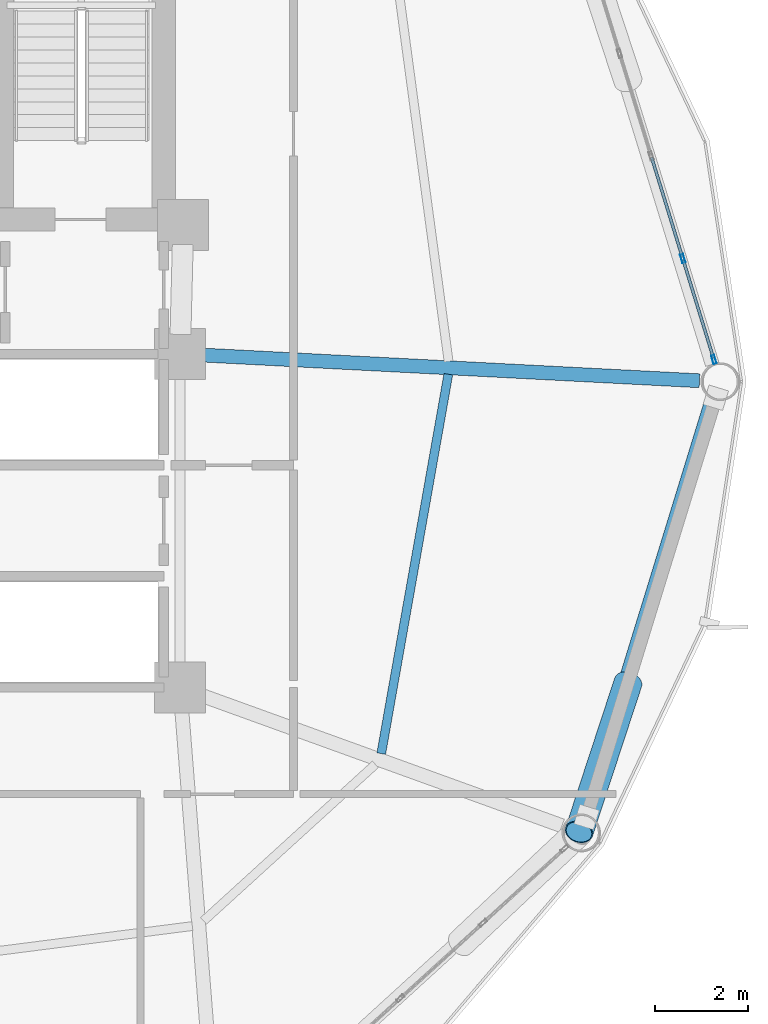
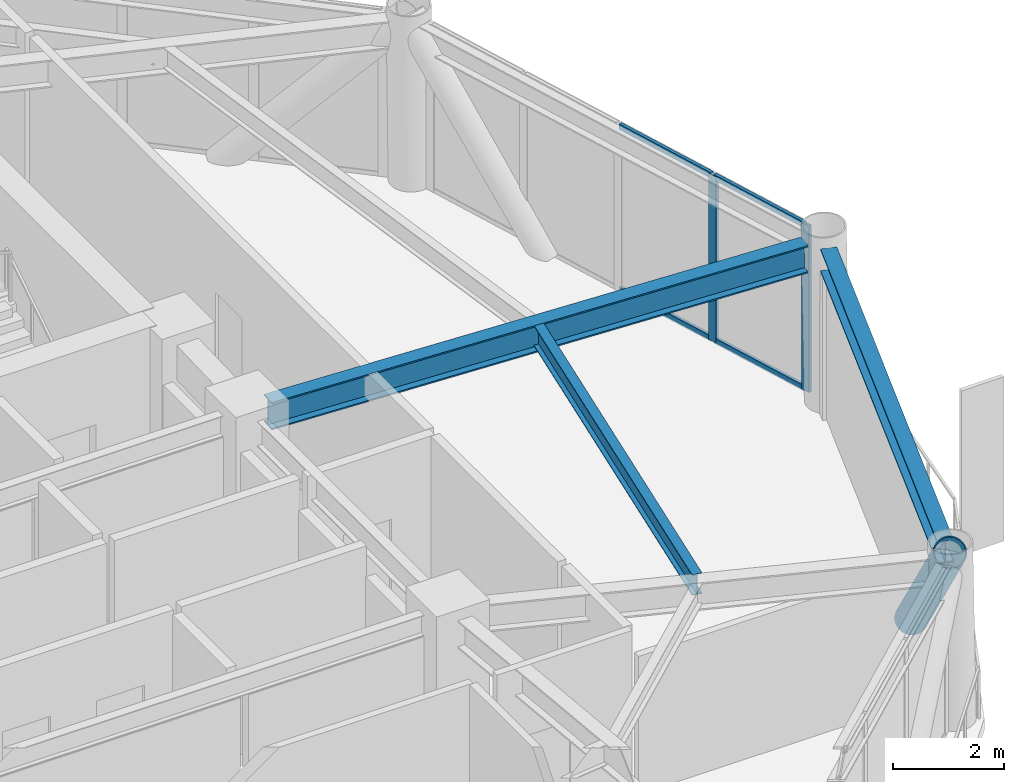
# One storey, part 12 of 23: 7 members, 3 beams, 1 element without a shape of its own.
"""IFC4 building model written with IfcOpenShell, lengths in metres."""

import ifcopenshell
import ifcopenshell.guid

model = None  # the IFC model being written
_history = None  # IfcOwnerHistory: only IFC2X3 demands one
_inside = {}  # id of a spatial element -> (the spatial element, [elements in it])
_under = {}  # id of a project, library or spatial element -> (it, [spatial elements below it])
_declared = {}  # id of a project -> (the project, [libraries it declares])
_typed = {}  # id of a type object -> (the type object, [elements of that type])
_made_of = {}  # id of a material, layer set ... -> (it, [elements and type objects made of it])


def new_model(schema):
    """Start an empty IFC model of exactly this schema.

    Asked for "IFC4X3", IfcOpenShell would pick the latest addendum, in which some entities
    have other attributes; the version numbers below select the first issue.
    IFC2X3 requires an IfcOwnerHistory on every rooted entity: one is made here for all.
    """
    global model, _history
    if schema == "IFC4X3":
        model = ifcopenshell.file(schema_version=(4, 3, 0, 0))
    else:
        model = ifcopenshell.file(schema=schema)
    _inside.clear()
    _under.clear()
    _declared.clear()
    _typed.clear()
    _made_of.clear()
    _history = None
    if model.schema == "IFC2X3":
        org = make("IfcOrganization", Name="unknown")
        user = make(
            "IfcPersonAndOrganization",
            ThePerson=make("IfcPerson", FamilyName="unknown"),
            TheOrganization=org,
        )
        app = make(
            "IfcApplication",
            ApplicationDeveloper=org,
            Version="unknown",
            ApplicationFullName="unknown",
            ApplicationIdentifier="unknown",
        )
        _history = make(
            "IfcOwnerHistory",
            OwningUser=user,
            OwningApplication=app,
            ChangeAction="ADDED",
            CreationDate=0,
        )
    return model


def make(cls, **values):
    """One entity of the class cls with the attributes given. An attribute that is None is left unset."""
    return model.create_entity(
        cls, **{name: value for name, value in values.items() if value is not None}
    )


def rooted(cls, **values):
    """An entity with a GlobalId (a new one), such as an element, a storey or a relation."""
    return make(cls, GlobalId=ifcopenshell.guid.new(), OwnerHistory=_history, **values)


def si_unit(unit_type, name, prefix=None):
    """IfcSIUnit, for example si_unit("LENGTHUNIT", "METRE", prefix="MILLI")."""
    return make("IfcSIUnit", UnitType=unit_type, Prefix=prefix, Name=name)


def assignment(units):
    """IfcUnitAssignment: the units of a project."""
    return None if units is None else make("IfcUnitAssignment", Units=units)


def point(xyz):
    """IfcCartesianPoint."""
    return None if xyz is None else make("IfcCartesianPoint", Coordinates=xyz)


def direction(xyz):
    """IfcDirection."""
    return None if xyz is None else make("IfcDirection", DirectionRatios=xyz)


def frame(location, z_axis=None, x_axis=None):
    """IfcAxis2Placement3D, a coordinate frame: its origin and axes. An axis left out is left unset."""
    return make(
        "IfcAxis2Placement3D",
        Location=point(location),
        Axis=direction(z_axis),
        RefDirection=direction(x_axis),
    )


def frame_2d(location, x_axis=None):
    """IfcAxis2Placement2D, a coordinate frame in the plane: its origin and x axis."""
    return make(
        "IfcAxis2Placement2D", Location=point(location), RefDirection=direction(x_axis)
    )


def origin():
    """The frame at (0, 0, 0) with its axes left unset."""
    return frame((0.0, 0.0, 0.0))


def origin_2d():
    """The frame at (0, 0) in the plane with its x axis left unset."""
    return frame_2d((0.0, 0.0))


def place(relative_to, where):
    """IfcLocalPlacement: puts the frame where relative to a parent placement (None: the world)."""
    return make(
        "IfcLocalPlacement", PlacementRelTo=relative_to, RelativePlacement=where
    )


def context(
    kind, dimensions, precision=None, world=None, true_north=None, identifier=None
):
    """IfcGeometricRepresentationContext, for example the 3D "Model" context."""
    return make(
        "IfcGeometricRepresentationContext",
        ContextIdentifier=identifier,
        ContextType=kind,
        CoordinateSpaceDimension=dimensions,
        Precision=precision,
        WorldCoordinateSystem=world,
        TrueNorth=true_north,
    )


def subcontext(parent, identifier, kind, view, scale=None):
    """IfcGeometricRepresentationSubContext, for example "Body" below "Model"."""
    return make(
        "IfcGeometricRepresentationSubContext",
        ContextIdentifier=identifier,
        ContextType=kind,
        ParentContext=parent,
        TargetScale=scale,
        TargetView=view,
    )


def project(units=None, contexts=None):
    """IfcProject with its units and contexts."""
    return rooted(
        "IfcProject",
        Name="project",
        RepresentationContexts=contexts,
        UnitsInContext=assignment(units),
    )


def spatial(cls, under=None, at=None, **own):
    """A site, building, storey or space (cls), placed at a placement, below another one or the project."""
    s = rooted(cls, ObjectPlacement=at, **own)
    if under is not None:
        _under.setdefault(under.id(), (under, []))[1].append(s)
    return s


def profile(cls, at=None, kind="AREA", **sizes):
    """A parametric profile (cls). Its sizes go by their IFC names, for example OverallWidth=200.0."""
    return make(cls, ProfileType=kind, Position=at, **sizes)


def hollow_rectangle(**sizes):
    """IfcRectangleHollowProfileDef."""
    return profile("IfcRectangleHollowProfileDef", **sizes)


def hollow_circle(**sizes):
    """IfcCircleHollowProfileDef."""
    return profile("IfcCircleHollowProfileDef", **sizes)


def i_section(**sizes):
    """IfcIShapeProfileDef."""
    return profile("IfcIShapeProfileDef", **sizes)


def extrude(swept, where, along, depth):
    """IfcExtrudedAreaSolid: the profile swept, set in the frame where, extruded along a direction by depth."""
    return make(
        "IfcExtrudedAreaSolid",
        SweptArea=swept,
        Position=where,
        ExtrudedDirection=direction(along),
        Depth=depth,
    )


def shape(context_of_items, identifier, shape_type, items):
    """IfcShapeRepresentation: the items that make up one representation, for example the "Body"."""
    return make(
        "IfcShapeRepresentation",
        ContextOfItems=context_of_items,
        RepresentationIdentifier=identifier,
        RepresentationType=shape_type,
        Items=items,
    )


def material(Name=None, Category=None):
    """IfcMaterial."""
    return make("IfcMaterial", Name=Name, Category=Category)


def layer(
    of_material, thickness, ventilated=None, Name=None, Category=None, Priority=None
):
    """IfcMaterialLayer: one layer of a wall or slab, of a material (None: an air gap)."""
    return make(
        "IfcMaterialLayer",
        Material=of_material,
        LayerThickness=thickness,
        IsVentilated=ventilated,
        Name=Name,
        Category=Category,
        Priority=Priority,
    )


def layer_set(layers, Name=None):
    """IfcMaterialLayerSet."""
    return make("IfcMaterialLayerSet", MaterialLayers=layers, LayerSetName=Name)


def material_profile(
    of_material, cross_section, Name=None, Category=None, Priority=None
):
    """IfcMaterialProfile: a cross section and its material."""
    return make(
        "IfcMaterialProfile",
        Name=Name,
        Material=of_material,
        Profile=cross_section,
        Priority=Priority,
        Category=Category,
    )


def profile_set(profiles, Name=None, composite=None):
    """IfcMaterialProfileSet."""
    return make(
        "IfcMaterialProfileSet",
        Name=Name,
        MaterialProfiles=profiles,
        CompositeProfile=composite,
    )


def made_of(thing, what):
    """Note that an element or type object is made of a material, layer set ...; save() writes the relation."""
    if what is not None:
        _made_of.setdefault(what.id(), (what, []))[1].append(thing)
    return thing


def type_object(cls, material=None, **own):
    """A type object (cls), such as IfcWallType, which elements share."""
    return made_of(rooted(cls, **own), material)


def element(
    cls,
    number,
    at=None,
    inside=None,
    cuts=None,
    type_object=None,
    material=None,
    context=None,
    identifier="Body",
    shape_type=None,
    held_by="IfcProductDefinitionShape",
    body=None,
    shapes=None,
    **own,
):
    """One element of the class cls, such as IfcWall. Its Tag is "e" and its number.

    at: its placement. inside: the storey or other place that contains it. cuts: it is an
    opening in that element (IfcRelVoidsElement). A single representation is given by context,
    identifier, shape_type and body (its items); several are given by shapes. held_by: the class
    of the entity that holds the representations. save() writes the other relations.
    """
    e = rooted(cls, Tag="e%d" % number, ObjectPlacement=at, **own)
    if body is not None:
        shapes = [shape(context, identifier, shape_type, body)]
    if shapes is not None:
        e.Representation = make(held_by, Representations=shapes)
    if inside is not None:
        _inside.setdefault(inside.id(), (inside, []))[1].append(e)
    if cuts is not None:
        rooted(
            "IfcRelVoidsElement", RelatingBuildingElement=cuts, RelatedOpeningElement=e
        )
    if type_object is not None:
        _typed.setdefault(type_object.id(), (type_object, []))[1].append(e)
    return made_of(e, material)


def aggregate(whole, parts):
    """IfcRelAggregates: a whole, such as a stair, and the parts it consists of."""
    return rooted("IfcRelAggregates", RelatingObject=whole, RelatedObjects=parts)


def save(model, path):
    """Write the relations noted so far, then the file.

    IfcRelAggregates (storeys below a building ...), IfcRelContainedInSpatialStructure (elements
    in a storey), IfcRelDefinesByType, IfcRelAssociatesMaterial and IfcRelDeclares: one each for
    every whole, place, type object, material and project.
    """
    for whole, parts in _under.values():
        aggregate(whole, parts)
    for where, things in _inside.values():
        rooted(
            "IfcRelContainedInSpatialStructure",
            RelatedElements=things,
            RelatingStructure=where,
        )
    for kind, things in _typed.values():
        rooted("IfcRelDefinesByType", RelatedObjects=things, RelatingType=kind)
    for what, things in _made_of.values():
        rooted("IfcRelAssociatesMaterial", RelatedObjects=things, RelatingMaterial=what)
    for by, libraries in _declared.values():
        rooted("IfcRelDeclares", RelatingContext=by, RelatedDefinitions=libraries)
    model.write(path)


model = new_model("IFC4")

# Units and contexts
model_context = context("Model", 3, precision=1e-05, world=origin(), true_north=direction((0.0, 1.0)))
body_context = subcontext(model_context, "Body", "Model", "MODEL_VIEW")
ifc_project = project(units=[si_unit("LENGTHUNIT", "METRE"), si_unit("AREAUNIT", "SQUARE_METRE"), si_unit("VOLUMEUNIT", "CUBIC_METRE"), si_unit("PLANEANGLEUNIT", "RADIAN"), si_unit("MASSUNIT", "GRAM", prefix="KILO")], contexts=[model_context])

# Site, building, storey
site_placement = place(None, origin())
site = spatial("IfcSite", under=ifc_project, at=site_placement, CompositionType="ELEMENT")
building_placement = place(site_placement, origin())
building = spatial("IfcBuilding", under=site, at=building_placement, Name="Varnakorn Sky Granary", CompositionType="ELEMENT")
storey_placement = place(building_placement, frame((0.0, 0.0, 107.10009765625)))
storey = spatial("IfcBuildingStorey", under=building, at=storey_placement, Name="L26", CompositionType="ELEMENT", Elevation=107.10009765625)

# Beams
ifc_material_1 = material(Name="Steel S355JR", Category="steel")
ifc_material_profile_1 = material_profile(ifc_material_1, i_section(OverallWidth=0.300048828125, OverallDepth=0.60009765625, WebThickness=0.015380859375, FlangeThickness=0.030029296875, at=origin_2d()), Name="HE 600 B")
ifc_profile_set_1 = profile_set([ifc_material_profile_1], Name="Steel S355JR")
beam_type_1 = type_object("IfcBeamType", Name="BM-RAD-Z2", PredefinedType="BEAM", material=ifc_profile_set_1)
beam_1_placement = place(storey_placement, frame((8.769287109375, 0.578369140625, 3.33984375), z_axis=(0.998664924648, -0.051656251109, 0.0), x_axis=(0.051656251109, 0.998664924648, 0.0)))
element("IfcBeam", 1, at=beam_1_placement, inside=storey, type_object=beam_type_1, Name="Radial Floor Girder RG01 L26", PredefinedType="BEAM", context=body_context, shape_type="SweptSolid", body=[
    extrude(i_section(OverallWidth=0.300048828125, OverallDepth=0.60009765625, WebThickness=0.015380859375, FlangeThickness=0.030029296875, at=origin_2d()), origin(), (0.0, 0.0, 1.0), 10.80419921875),
])
ifc_material_profile_2 = material_profile(ifc_material_1, i_section(OverallWidth=0.18994140625, OverallDepth=0.449951171875, WebThickness=0.009521484375, FlangeThickness=0.0146484375, at=origin_2d()), Name="IPE 450")
ifc_profile_set_2 = profile_set([ifc_material_profile_2], Name="Steel S355JR")
beam_type_2 = type_object("IfcBeamType", Name="BM-SEC-Z2", PredefinedType="BEAM", material=ifc_profile_set_2)
beam_2_placement = place(storey_placement, frame((12.6923828125, -8.024169921875, 3.414794921875), z_axis=(0.174135497654, 0.984721701019, 0.0), x_axis=(-0.984721701019, 0.174135497654, 0.0)))
element("IfcBeam", 2, at=beam_2_placement, inside=storey, type_object=beam_type_2, Name="Secondary Floor Chord Beam MSB12 L26", PredefinedType="BEAM", context=body_context, shape_type="SweptSolid", body=[
    extrude(i_section(OverallWidth=0.18994140625, OverallDepth=0.449951171875, WebThickness=0.009521484375, FlangeThickness=0.0146484375, at=origin_2d()), origin(), (0.0, 0.0, 1.0), 8.3125),
])
ifc_material_profile_3 = material_profile(ifc_material_1, i_section(OverallWidth=0.300048828125, OverallDepth=0.5, WebThickness=0.014404296875, FlangeThickness=0.028076171875, at=origin_2d()), Name="HE 500 B")
ifc_profile_set_3 = profile_set([ifc_material_profile_3], Name="Steel S355JR")
beam_type_3 = type_object("IfcBeamType", Name="BM-SPD-Z2", PredefinedType="SPANDREL", material=ifc_profile_set_3)
beam_3_placement = place(storey_placement, frame((17.074462890625, -9.34033203125, 3.389892578125), z_axis=(0.29422848577, 0.955735108784, 0.0), x_axis=(-0.955735108784, 0.29422848577, 0.0)))
element("IfcBeam", 3, at=beam_3_placement, inside=storey, type_object=beam_type_3, Name="Perimeter Spandrel Ring Beam RB12 L26", PredefinedType="SPANDREL", context=body_context, shape_type="SweptSolid", body=[
    extrude(i_section(OverallWidth=0.300048828125, OverallDepth=0.5, WebThickness=0.014404296875, FlangeThickness=0.028076171875, at=origin_2d()), origin(), (0.0, 0.0, 1.0), 9.38134765625),
])

# Curtain wall, members
ifc_material_2 = material(Name="Anodised Bronze Aluminium Alloy 6063-T6", Category="aluminium")
ifc_layer = layer(ifc_material_2, 0.179931640625, Name="Anodised Bronze Aluminium Alloy 6063-T6")
ifc_layer_set = layer_set([ifc_layer], Name="Anodised Bronze Aluminium Alloy 6063-T6")
curtain_wall_type = type_object("IfcCurtainWallType", Name="CW-FRM-2", PredefinedType="USERDEFINED", material=ifc_layer_set)
curtain_wall_placement = place(storey_placement, origin())
curtain_wall = element("IfcCurtainWall", 4, at=curtain_wall_placement, inside=storey, type_object=curtain_wall_type, Name="Unitised Curtain Wall CW4 CW-L26-B01", ObjectType="CURTAIN WALL", PredefinedType="USERDEFINED")
ifc_material_profile_4 = material_profile(ifc_material_2, hollow_rectangle(XDim=0.070068359375, YDim=0.18505859375, WallThickness=0.00390625, at=origin_2d()), Name="ALU MULL 70x185")
ifc_profile_set_4 = profile_set([ifc_material_profile_4], Name="Anodised Bronze Aluminium Alloy 6063-T6")
member_type_1 = type_object("IfcMemberType", Name="CW-FRM-2-MULL", PredefinedType="MULLION", material=ifc_profile_set_4)
member_1_placement = place(storey_placement, frame((19.198486328125, 2.657470703125, 0.0), z_axis=(0.0, 0.0, 1.0), x_axis=(0.955691611808, 0.294369738798, 0.0)))
member_1 = element("IfcMember", 5, at=member_1_placement, type_object=member_type_1, Name="CW4 mullion 4", PredefinedType="MULLION", context=body_context, shape_type="SweptSolid", body=[
    extrude(hollow_rectangle(XDim=0.070068359375, YDim=0.18505859375, WallThickness=0.00390625, at=origin_2d()), origin(), (0.0, 0.0, 1.0), 3.639892578125),
])
member_2_placement = place(storey_placement, frame((19.869384765625, 0.479248046875, 0.0), z_axis=(0.0, 0.0, 1.0), x_axis=(0.955691611808, 0.294369738798, 0.0)))
member_2 = element("IfcMember", 6, at=member_2_placement, type_object=member_type_1, Name="CW4 mullion 5", PredefinedType="MULLION", context=body_context, shape_type="SweptSolid", body=[
    extrude(hollow_rectangle(XDim=0.070068359375, YDim=0.18505859375, WallThickness=0.00390625, at=origin_2d()), origin(), (0.0, 0.0, 1.0), 3.639892578125),
])
ifc_material_profile_5 = material_profile(ifc_material_2, hollow_rectangle(XDim=0.06494140625, YDim=0.1201171875, WallThickness=0.00341796875, at=origin_2d()), Name="ALU TRAN 65x120")
ifc_profile_set_5 = profile_set([ifc_material_profile_5], Name="Anodised Bronze Aluminium Alloy 6063-T6")
member_type_2 = type_object("IfcMemberType", Name="CW-FRM-2-TRAN", PredefinedType="USERDEFINED", material=ifc_profile_set_5)
member_3_placement = place(storey_placement, frame((18.527587890625, 4.835693359375, 0.032470703125), z_axis=(0.294376324666, -0.95568958322, 0.0), x_axis=(0.95568958322, 0.294376324666, 0.0)))
member_3 = element("IfcMember", 7, at=member_3_placement, type_object=member_type_2, Name="CW4 transom 3.1", ObjectType="TRANSOM", PredefinedType="USERDEFINED", context=body_context, shape_type="SweptSolid", body=[
    extrude(hollow_rectangle(XDim=0.06494140625, YDim=0.1201171875, WallThickness=0.00341796875, at=origin_2d()), origin(), (0.0, 0.0, 1.0), 2.244140625),
])
member_4_placement = place(storey_placement, frame((18.527587890625, 4.835693359375, 3.607421875), z_axis=(0.294376324666, -0.95568958322, 0.0), x_axis=(0.95568958322, 0.294376324666, 0.0)))
member_4 = element("IfcMember", 8, at=member_4_placement, type_object=member_type_2, Name="CW4 transom 3.2", ObjectType="TRANSOM", PredefinedType="USERDEFINED", context=body_context, shape_type="SweptSolid", body=[
    extrude(hollow_rectangle(XDim=0.06494140625, YDim=0.1201171875, WallThickness=0.00341796875, at=origin_2d()), origin(), (0.0, 0.0, 1.0), 2.244140625),
])
member_5_placement = place(storey_placement, frame((19.208740234375, 2.6240234375, 0.032470703125), z_axis=(0.294396453703, -0.955683382741, 0.0), x_axis=(0.955683382741, 0.294396453703, 0.0)))
member_5 = element("IfcMember", 9, at=member_5_placement, type_object=member_type_2, Name="CW4 transom 4.1", ObjectType="TRANSOM", PredefinedType="USERDEFINED", context=body_context, shape_type="SweptSolid", body=[
    extrude(hollow_rectangle(XDim=0.06494140625, YDim=0.1201171875, WallThickness=0.00341796875, at=origin_2d()), origin(), (0.0, 0.0, 1.0), 2.209228515625),
])
member_6_placement = place(storey_placement, frame((19.208740234375, 2.6240234375, 3.607421875), z_axis=(0.294396453703, -0.955683382741, 0.0), x_axis=(0.955683382741, 0.294396453703, 0.0)))
member_6 = element("IfcMember", 10, at=member_6_placement, type_object=member_type_2, Name="CW4 transom 4.2", ObjectType="TRANSOM", PredefinedType="USERDEFINED", context=body_context, shape_type="SweptSolid", body=[
    extrude(hollow_rectangle(XDim=0.06494140625, YDim=0.1201171875, WallThickness=0.00341796875, at=origin_2d()), origin(), (0.0, 0.0, 1.0), 2.209228515625),
])
aggregate(curtain_wall, [member_1, member_2, member_3, member_4, member_5, member_6])

# Member
ifc_material_3 = material(Name="Steel S460M", Category="steel")
ifc_material_profile_6 = material_profile(ifc_material_3, hollow_circle(Radius=0.304931640625, WallThickness=0.022216796875, at=origin_2d()), Name="CHS 610x22")
ifc_profile_set_6 = profile_set([ifc_material_profile_6], Name="Steel S460M")
member_type_3 = type_object("IfcMemberType", Name="MB-DIAG-T1", PredefinedType="BRACE", material=ifc_profile_set_6)
member_7_placement = place(storey_placement, frame((18.017333984375, -6.4921875, -0.130126953125), z_axis=(-0.208651927736, -0.635439961741, 0.743424796516), x_axis=(0.950091807136, -0.311970444134, 0.0)))
element("IfcMember", 11, at=member_7_placement, inside=storey, type_object=member_type_3, Name="Perimeter CHS Diagrid Brace DG12 L26", PredefinedType="BRACE", context=body_context, shape_type="SweptSolid", body=[
    extrude(hollow_circle(Radius=0.304931640625, WallThickness=0.022216796875, at=origin_2d()), origin(), (0.0, 0.0, 1.0), 5.071044921875),
])

save(model, "model.ifc")
